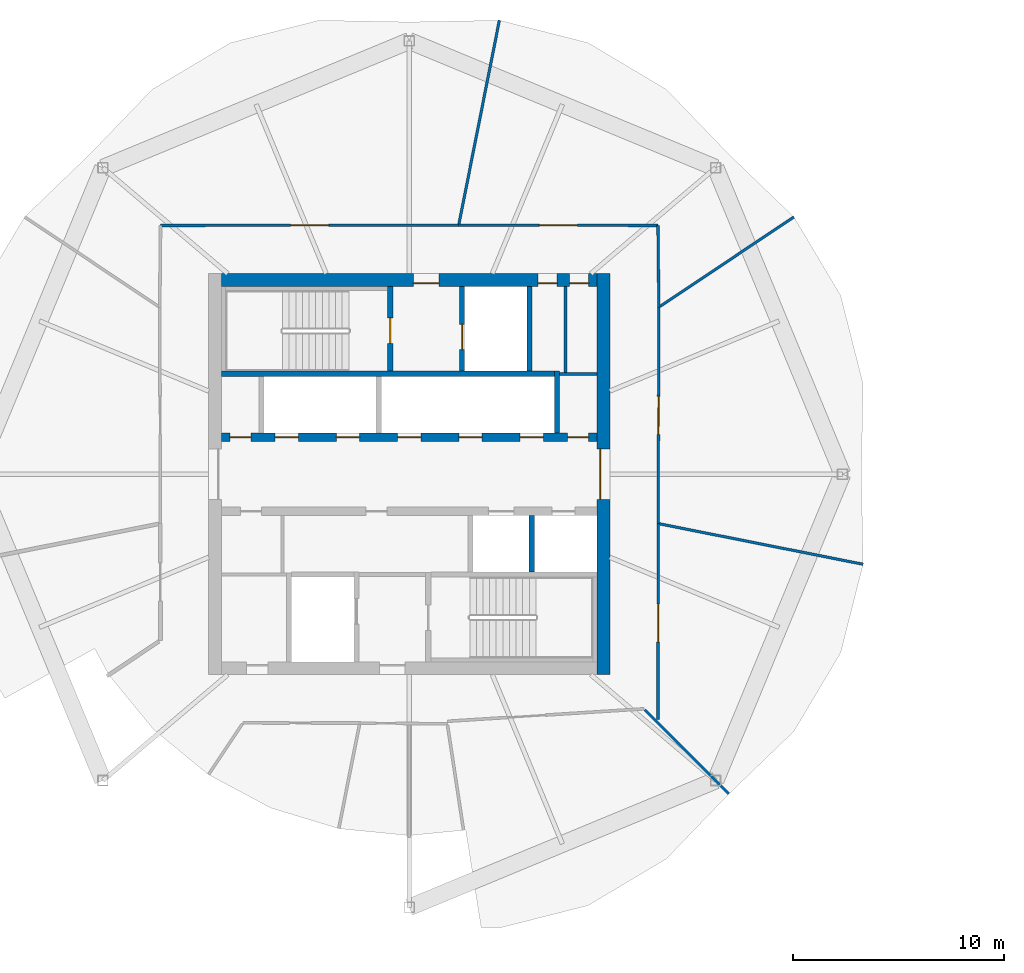
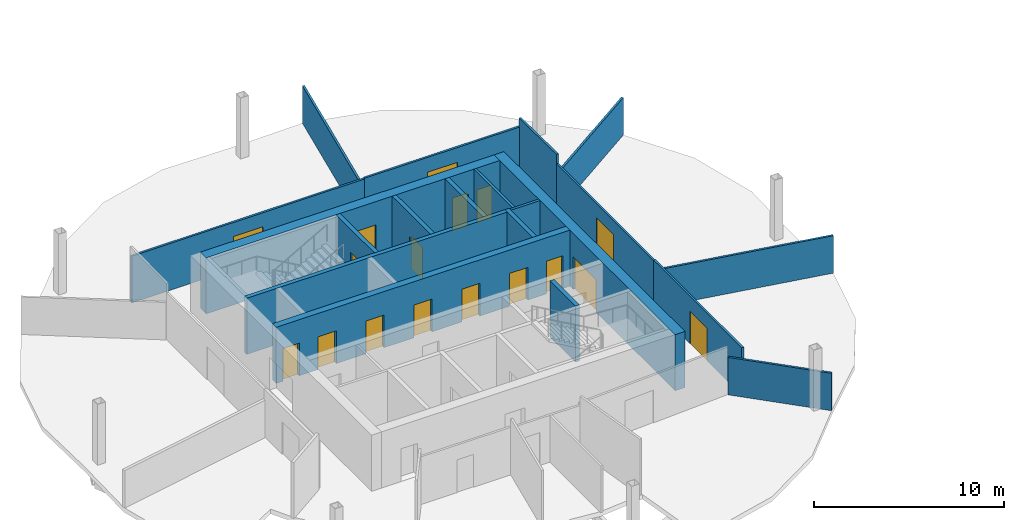
# One storey, part 5 of 9: 20 walls, 17 doors, 17 openings.
"""IFC4 building model written with IfcOpenShell, lengths in metres."""

from ifc_helpers import new_model, si_unit, direction, frame, frame_2d, origin, place, context, subcontext, project, spatial, rectangle, extrude, material, layer, layer_set, type_object, element, fill, save


model = new_model("IFC4")

# Units and contexts
model_context = context("Model", 3, precision=1e-05, world=origin(), true_north=direction((0.0, 1.0)))
body_context = subcontext(model_context, "Body", "Model", "MODEL_VIEW")
ifc_project = project(units=[si_unit("LENGTHUNIT", "METRE"), si_unit("AREAUNIT", "SQUARE_METRE"), si_unit("VOLUMEUNIT", "CUBIC_METRE"), si_unit("PLANEANGLEUNIT", "RADIAN"), si_unit("MASSUNIT", "GRAM", prefix="KILO")], contexts=[model_context])

# Site, building, storey
site_placement = place(None, origin())
site = spatial("IfcSite", under=ifc_project, at=site_placement, CompositionType="ELEMENT")
building_placement = place(site_placement, origin())
building = spatial("IfcBuilding", under=site, at=building_placement, Name="Ogive Gate Towers", CompositionType="ELEMENT")
storey_placement = place(building_placement, frame((0.0, 0.0, 192.89990234375)))
storey = spatial("IfcBuildingStorey", under=building, at=storey_placement, Name="L46", CompositionType="ELEMENT", Elevation=192.89990234375)

# Wall, openings, doors
ifc_material_1 = material(Name="Concrete C60/75", Category="concrete")
ifc_layer_1 = layer(ifc_material_1, 0.60009765625)
ifc_layer_set_1 = layer_set([ifc_layer_1], Name="Core wall 600 mm")
wall_type_1 = type_object("IfcWallType", Name="Core wall 600 mm", PredefinedType="SHEAR", material=ifc_layer_set_1)
wall_1_placement = place(storey_placement, frame((-44.89990234375, 9.199951171875, 0.0), z_axis=(0.0, 0.0, 1.0), x_axis=(1.0, 0.0, 0.0)))
wall_1 = element("IfcWall", 1, at=wall_1_placement, inside=storey, type_object=wall_type_1, Name="T1 L46 Core wall 600 mm", PredefinedType="SHEAR", context=body_context, shape_type="SweptSolid", body=[
    extrude(rectangle(XDim=17.7998046875, YDim=0.60009765625, at=frame_2d((8.89990234375, 0.0))), origin(), (0.0, 0.0, 1.0), 3.60009765625),
])
opening_1_placement = place(wall_1_placement, frame((9.10009765625, 0.0, 0.0)))
opening_1 = element("IfcOpeningElement", 2, at=opening_1_placement, cuts=wall_1, Name="Opening KD-T1-L46-18", PredefinedType="OPENING", context=body_context, shape_type="SweptSolid", body=[
    extrude(rectangle(XDim=1.199951171875, YDim=2.10009765625, at=frame_2d((0.60009765625, 1.050048828125))), frame((0.0, 0.31005859375, 0.0), z_axis=(0.0, -1.0, 0.0), x_axis=(1.0, 0.0, 0.0)), (0.0, 0.0, 1.0), 0.6201171875),
])
opening_2_placement = place(wall_1_placement, frame((15.0, 0.0, 0.0)))
opening_2 = element("IfcOpeningElement", 3, at=opening_2_placement, cuts=wall_1, Name="Opening KD-T1-L46-20", PredefinedType="OPENING", context=body_context, shape_type="SweptSolid", body=[
    extrude(rectangle(XDim=0.89990234375, YDim=2.10009765625, at=frame_2d((0.449951171875, 1.050048828125))), frame((0.0, 0.31005859375, 0.0), z_axis=(0.0, -1.0, 0.0), x_axis=(1.0, 0.0, 0.0)), (0.0, 0.0, 1.0), 0.6201171875),
])
opening_3_placement = place(wall_1_placement, frame((16.5, 0.0, 0.0)))
opening_3 = element("IfcOpeningElement", 4, at=opening_3_placement, cuts=wall_1, Name="Opening KD-T1-L46-21", PredefinedType="OPENING", context=body_context, shape_type="SweptSolid", body=[
    extrude(rectangle(XDim=0.89990234375, YDim=2.10009765625, at=frame_2d((0.449951171875, 1.050048828125))), frame((0.0, 0.31005859375, 0.0), z_axis=(0.0, -1.0, 0.0), x_axis=(1.0, 0.0, 0.0)), (0.0, 0.0, 1.0), 0.6201171875),
])
ifc_material_2 = material(Name="Timber door", Category="wood")
door_type_1 = type_object("IfcDoorType", Name="Core WC door 900 x 2100", OperationType="NOTDEFINED", PredefinedType="DOOR", material=ifc_material_2)
door_1_placement = place(opening_2_placement, origin())
door_1 = element("IfcDoor", 5, at=door_1_placement, inside=storey, type_object=door_type_1, Name="T1 L46 Core door", OperationType="SINGLE_SWING_LEFT", OverallHeight=2.10009765625, OverallWidth=0.89990234375, PredefinedType="DOOR", context=body_context, shape_type="SweptSolid", body=[
    extrude(rectangle(XDim=0.89990234375, YDim=2.10009765625, at=frame_2d((0.449951171875, 1.050048828125))), frame((0.0, -0.125, 0.0), z_axis=(0.0, -1.0, 0.0), x_axis=(1.0, 0.0, 0.0)), (0.0, 0.0, 1.0), 0.050048828125),
])
fill(opening_2, door_1)
door_2_placement = place(opening_3_placement, origin())
door_2 = element("IfcDoor", 6, at=door_2_placement, inside=storey, type_object=door_type_1, Name="T1 L46 Core door", OperationType="SINGLE_SWING_RIGHT", OverallHeight=2.10009765625, OverallWidth=0.89990234375, PredefinedType="DOOR", context=body_context, shape_type="SweptSolid", body=[
    extrude(rectangle(XDim=0.89990234375, YDim=2.10009765625, at=frame_2d((0.449951171875, 1.050048828125))), frame((0.0, -0.125, 0.0), z_axis=(0.0, -1.0, 0.0), x_axis=(1.0, 0.0, 0.0)), (0.0, 0.0, 1.0), 0.050048828125),
])
fill(opening_3, door_2)
ifc_material_3 = material(Name="Steel fire door", Category="steel")
door_type_2 = type_object("IfcDoorType", Name="Core door FD60S 1200 x 2100", OperationType="NOTDEFINED", PredefinedType="DOOR", material=ifc_material_3)
door_3_placement = place(opening_1_placement, origin())
door_3 = element("IfcDoor", 7, at=door_3_placement, inside=storey, type_object=door_type_2, Name="T1 L46 Fire-fighting lobby door", OperationType="SINGLE_SWING_LEFT", OverallHeight=2.10009765625, OverallWidth=1.199951171875, PredefinedType="DOOR", context=body_context, shape_type="SweptSolid", body=[
    extrude(rectangle(XDim=1.199951171875, YDim=2.10009765625, at=frame_2d((0.60009765625, 1.050048828125))), frame((0.0, -0.125, 0.0), z_axis=(0.0, -1.0, 0.0), x_axis=(1.0, 0.0, 0.0)), (0.0, 0.0, 1.0), 0.050048828125),
])
fill(opening_1, door_3)

# Wall, opening, door
wall_2_placement = place(storey_placement, frame((-26.800048828125, -9.5, 0.0), z_axis=(0.0, 0.0, 1.0), x_axis=(0.0, 1.0, 0.0)))
wall_2 = element("IfcWall", 8, at=wall_2_placement, inside=storey, type_object=wall_type_1, Name="T1 L46 Core wall 600 mm", PredefinedType="SHEAR", context=body_context, shape_type="SweptSolid", body=[
    extrude(rectangle(XDim=19.0, YDim=0.60009765625, at=frame_2d((9.5, 0.0))), origin(), (0.0, 0.0, 1.0), 3.60009765625),
])
opening_4_placement = place(wall_2_placement, frame((8.300048828125, 0.0, 0.0)))
opening_4 = element("IfcOpeningElement", 9, at=opening_4_placement, cuts=wall_2, Name="Opening KD-T1-L46-02", PredefinedType="OPENING", context=body_context, shape_type="SweptSolid", body=[
    extrude(rectangle(XDim=2.39990234375, YDim=2.10009765625, at=frame_2d((1.199951171875, 1.050048828125))), frame((0.0, 0.31005859375, 0.0), z_axis=(0.0, -1.0, 0.0), x_axis=(1.0, 0.0, 0.0)), (0.0, 0.0, 1.0), 0.6201171875),
])
door_type_3 = type_object("IfcDoorType", Name="Core double door FD60S 2400 x 2100", OperationType="DOUBLE_DOOR_SINGLE_SWING", PredefinedType="DOOR", material=ifc_material_3)
door_4_placement = place(opening_4_placement, origin())
door_4 = element("IfcDoor", 10, at=door_4_placement, inside=storey, type_object=door_type_3, Name="T1 L46 Core door double", OperationType="DOUBLE_DOOR_SINGLE_SWING", OverallHeight=2.10009765625, OverallWidth=2.39990234375, PredefinedType="DOOR", context=body_context, shape_type="SweptSolid", body=[
    extrude(rectangle(XDim=2.39990234375, YDim=2.10009765625, at=frame_2d((1.199951171875, 1.050048828125))), frame((0.0, 0.1748046875, 0.0), z_axis=(0.0, -1.0, 0.0), x_axis=(1.0, 0.0, 0.0)), (0.0, 0.0, 1.0), 0.050048828125),
])
fill(opening_4, door_4)

# Walls
ifc_material_4 = material(Name="Gypsum board partition")
ifc_layer_2 = layer(ifc_material_4, 0.125)
ifc_layer_set_2 = layer_set([ifc_layer_2], Name="Partition 125")
wall_type_2 = type_object("IfcWallType", Name="Partition 125", PredefinedType="PARTITIONING", material=ifc_layer_set_2)
wall_3_placement = place(storey_placement, frame((-17.779052734375, 12.184814453125, 0.0), z_axis=(0.0, 0.0, 1.0), x_axis=(-0.831252644517, -0.555894811079, 0.0)))
element("IfcWall", 11, at=wall_3_placement, inside=storey, type_object=wall_type_2, Name="Partition T1-L46-001", PredefinedType="PARTITIONING", context=body_context, shape_type="SweptSolid", body=[
    extrude(rectangle(XDim=7.636474609375, YDim=0.125, at=frame_2d((3.818359375, 0.0))), origin(), (0.0, 0.0, 1.0), 2.400146484375),
])
wall_4_placement = place(storey_placement, frame((-31.731689453125, 21.5, 0.0), z_axis=(0.0, 0.0, 1.0), x_axis=(-0.194736530289, -0.980855587623, 0.0)))
element("IfcWall", 12, at=wall_4_placement, inside=storey, type_object=wall_type_2, Name="Partition T1-L46-002", PredefinedType="PARTITIONING", context=body_context, shape_type="SweptSolid", body=[
    extrude(rectangle(XDim=9.83642578125, YDim=0.125, at=frame_2d((4.918212890625, 0.0))), origin(), (0.0, 0.0, 1.0), 2.400146484375),
])
wall_5_placement = place(storey_placement, frame((-20.8544921875, -15.1455078125, 0.0), z_axis=(0.0, 0.0, 1.0), x_axis=(-0.707106781187, 0.707106781187, 0.0)))
element("IfcWall", 13, at=wall_5_placement, inside=storey, type_object=wall_type_2, Name="Partition T1-L46-010", PredefinedType="PARTITIONING", context=body_context, shape_type="SweptSolid", body=[
    extrude(rectangle(XDim=5.636474609375, YDim=0.125, at=frame_2d((2.818359375, 0.0))), origin(), (0.0, 0.0, 1.0), 2.400146484375),
])
wall_6_placement = place(storey_placement, frame((-14.5, -4.268310546875, 0.0), z_axis=(0.0, 0.0, 1.0), x_axis=(-0.980855587623, 0.194736530289, 0.0)))
element("IfcWall", 14, at=wall_6_placement, inside=storey, type_object=wall_type_2, Name="Partition T1-L46-011", PredefinedType="PARTITIONING", context=body_context, shape_type="SweptSolid", body=[
    extrude(rectangle(XDim=9.83642578125, YDim=0.125, at=frame_2d((4.918212890625, 0.0))), origin(), (0.0, 0.0, 1.0), 2.400146484375),
])

# Wall, opening, door
wall_7_placement = place(storey_placement, frame((-47.780029296875, 11.780029296875, 0.0), z_axis=(0.0, 0.0, 1.0), x_axis=(0.999999736351, 0.000726153442, 0.0)))
wall_7 = element("IfcWall", 15, at=wall_7_placement, inside=storey, type_object=wall_type_2, Name="Partition T1-L46-016", PredefinedType="PARTITIONING", context=body_context, shape_type="SweptSolid", body=[
    extrude(rectangle(XDim=14.120849609375, YDim=0.125, at=frame_2d((7.060546875, 0.0))), origin(), (0.0, 0.0, 1.0), 3.0),
])
opening_5_placement = place(wall_7_placement, frame((6.159912109375, 0.0, 0.0)))
opening_5 = element("IfcOpeningElement", 16, at=opening_5_placement, cuts=wall_7, Name="Opening T1-L46-D05", PredefinedType="OPENING", context=body_context, shape_type="SweptSolid", body=[
    extrude(rectangle(XDim=1.800048828125, YDim=2.10009765625, at=frame_2d((0.89990234375, 1.050048828125))), frame((0.0, 0.072509765625, 0.0), z_axis=(0.0, -1.0, 0.0), x_axis=(1.0, 0.0, 0.0)), (0.0, 0.0, 1.0), 0.14501953125),
])
door_type_4 = type_object("IfcDoorType", Name="Door pair 1800", OperationType="NOTDEFINED", PredefinedType="DOOR", material=ifc_material_2)
door_5_placement = place(opening_5_placement, origin())
door_5 = element("IfcDoor", 17, at=door_5_placement, inside=storey, type_object=door_type_4, Name="Door T1-L46-D05", OperationType="DOUBLE_DOOR_DOUBLE_SWING", OverallHeight=2.10009765625, OverallWidth=1.800048828125, PredefinedType="DOOR", context=body_context, shape_type="SweptSolid", body=[
    extrude(rectangle(XDim=1.800048828125, YDim=2.10009765625, at=frame_2d((0.89990234375, 1.050048828125))), frame((0.0, 0.02490234375, 0.0), z_axis=(0.0, -1.0, 0.0), x_axis=(1.0, 0.0, 0.0)), (0.0, 0.0, 1.0), 0.050048828125),
])
fill(opening_5, door_5)

wall_8_placement = place(storey_placement, frame((-33.6591796875, 11.790283203125, 0.0), z_axis=(0.0, 0.0, 1.0), x_axis=(0.999999409966, -0.001086309268, 0.0)))
wall_8 = element("IfcWall", 18, at=wall_8_placement, inside=storey, type_object=wall_type_2, Name="Partition T1-L46-018", PredefinedType="PARTITIONING", context=body_context, shape_type="SweptSolid", body=[
    extrude(rectangle(XDim=9.439208984375, YDim=0.125, at=frame_2d((4.7197265625, 0.0))), origin(), (0.0, 0.0, 1.0), 3.050048828125),
])
opening_6_placement = place(wall_8_placement, frame((3.820068359375, 0.0, 0.0)))
opening_6 = element("IfcOpeningElement", 19, at=opening_6_placement, cuts=wall_8, Name="Opening T1-L46-D06", PredefinedType="OPENING", context=body_context, shape_type="SweptSolid", body=[
    extrude(rectangle(XDim=1.800048828125, YDim=2.10009765625, at=frame_2d((0.89990234375, 1.050048828125))), frame((0.0, 0.072509765625, 0.0), z_axis=(0.0, -1.0, 0.0), x_axis=(1.0, 0.0, 0.0)), (0.0, 0.0, 1.0), 0.14501953125),
])
door_6_placement = place(opening_6_placement, origin())
door_6 = element("IfcDoor", 20, at=door_6_placement, inside=storey, type_object=door_type_4, Name="Door T1-L46-D06", OperationType="DOUBLE_DOOR_DOUBLE_SWING", OverallHeight=2.10009765625, OverallWidth=1.800048828125, PredefinedType="DOOR", context=body_context, shape_type="SweptSolid", body=[
    extrude(rectangle(XDim=1.800048828125, YDim=2.10009765625, at=frame_2d((0.89990234375, 1.050048828125))), frame((0.0, 0.02490234375, 0.0), z_axis=(0.0, -1.0, 0.0), x_axis=(1.0, 0.0, 0.0)), (0.0, 0.0, 1.0), 0.050048828125),
])
fill(opening_6, door_6)

# Wall
wall_9_placement = place(storey_placement, frame((-24.219970703125, 11.780029296875, 0.0), z_axis=(0.0, 0.0, 1.0), x_axis=(0.010583417817, -0.999943994065, 0.0)))
element("IfcWall", 21, at=wall_9_placement, inside=storey, type_object=wall_type_2, Name="Partition T1-L46-019", PredefinedType="PARTITIONING", context=body_context, shape_type="SweptSolid", body=[
    extrude(rectangle(XDim=3.87548828125, YDim=0.125, at=frame_2d((1.937744140625, 0.0))), origin(), (0.0, 0.0, 1.0), 3.60009765625),
])

# Wall, opening, door
wall_10_placement = place(storey_placement, frame((-24.178955078125, 7.90478515625, 0.0), z_axis=(0.0, 0.0, 1.0), x_axis=(-0.003002417006, -0.999995492736, 0.0)))
wall_10 = element("IfcWall", 22, at=wall_10_placement, inside=storey, type_object=wall_type_2, Name="Partition T1-L46-020", PredefinedType="PARTITIONING", context=body_context, shape_type="SweptSolid", body=[
    extrude(rectangle(XDim=10.24560546875, YDim=0.125, at=frame_2d((5.122802734375, 0.0))), origin(), (0.0, 0.0, 1.0), 3.0),
])
opening_7_placement = place(wall_10_placement, frame((4.222900390625, 0.0, 0.0)))
opening_7 = element("IfcOpeningElement", 23, at=opening_7_placement, cuts=wall_10, Name="Opening T1-L46-D07", PredefinedType="OPENING", context=body_context, shape_type="SweptSolid", body=[
    extrude(rectangle(XDim=1.800048828125, YDim=2.10009765625, at=frame_2d((0.89990234375, 1.050048828125))), frame((0.0, 0.072509765625, 0.0), z_axis=(0.0, -1.0, 0.0), x_axis=(1.0, 0.0, 0.0)), (0.0, 0.0, 1.0), 0.14501953125),
])
door_7_placement = place(opening_7_placement, origin())
door_7 = element("IfcDoor", 24, at=door_7_placement, inside=storey, type_object=door_type_4, Name="Door T1-L46-D07", OperationType="DOUBLE_DOOR_DOUBLE_SWING", OverallHeight=2.10009765625, OverallWidth=1.800048828125, PredefinedType="DOOR", context=body_context, shape_type="SweptSolid", body=[
    extrude(rectangle(XDim=1.800048828125, YDim=2.10009765625, at=frame_2d((0.89990234375, 1.050048828125))), frame((0.0, 0.02490234375, 0.0), z_axis=(0.0, -1.0, 0.0), x_axis=(1.0, 0.0, 0.0)), (0.0, 0.0, 1.0), 0.050048828125),
])
fill(opening_7, door_7)

wall_11_placement = place(storey_placement, frame((-24.209716796875, -2.3408203125, 0.0), z_axis=(0.0, 0.0, 1.0), x_axis=(-0.001078804793, -0.99999941809, 0.0)))
wall_11 = element("IfcWall", 25, at=wall_11_placement, inside=storey, type_object=wall_type_2, Name="Partition T1-L46-021", PredefinedType="PARTITIONING", context=body_context, shape_type="SweptSolid", body=[
    extrude(rectangle(XDim=9.278564453125, YDim=0.125, at=frame_2d((4.63916015625, 0.0))), origin(), (0.0, 0.0, 1.0), 3.050048828125),
])
opening_8_placement = place(wall_11_placement, frame((3.820068359375, 0.0, 0.0)))
opening_8 = element("IfcOpeningElement", 26, at=opening_8_placement, cuts=wall_11, Name="Opening T1-L46-D08", PredefinedType="OPENING", context=body_context, shape_type="SweptSolid", body=[
    extrude(rectangle(XDim=1.800048828125, YDim=2.10009765625, at=frame_2d((0.89990234375, 1.050048828125))), frame((0.0, 0.072509765625, 0.0), z_axis=(0.0, -1.0, 0.0), x_axis=(1.0, 0.0, 0.0)), (0.0, 0.0, 1.0), 0.14501953125),
])
door_8_placement = place(opening_8_placement, origin())
door_8 = element("IfcDoor", 27, at=door_8_placement, inside=storey, type_object=door_type_4, Name="Door T1-L46-D08", OperationType="DOUBLE_DOOR_DOUBLE_SWING", OverallHeight=2.10009765625, OverallWidth=1.800048828125, PredefinedType="DOOR", context=body_context, shape_type="SweptSolid", body=[
    extrude(rectangle(XDim=1.800048828125, YDim=2.10009765625, at=frame_2d((0.89990234375, 1.050048828125))), frame((0.0, 0.02490234375, 0.0), z_axis=(0.0, -1.0, 0.0), x_axis=(1.0, 0.0, 0.0)), (0.0, 0.0, 1.0), 0.050048828125),
])
fill(opening_8, door_8)

# Walls
ifc_layer_3 = layer(ifc_material_4, 0.14990234375)
ifc_layer_set_3 = layer_set([ifc_layer_3], Name="Room partition 150 mm")
wall_type_3 = type_object("IfcWallType", Name="Room partition 150 mm", PredefinedType="PARTITIONING", material=ifc_layer_set_3)
wall_12_placement = place(storey_placement, frame((-28.875, 4.75, 0.0), z_axis=(0.0, 0.0, 1.0), x_axis=(1.0, 0.0, 0.0)))
element("IfcWall", 28, at=wall_12_placement, inside=storey, type_object=wall_type_3, Name="T1 L46 Room partition 150 mm", PredefinedType="PARTITIONING", context=body_context, shape_type="SweptSolid", body=[
    extrude(rectangle(XDim=1.77490234375, YDim=0.14990234375, at=frame_2d((0.887451171875, 0.0))), origin(), (0.0, 0.0, 1.0), 3.60009765625),
])
wall_13_placement = place(storey_placement, frame((-28.60009765625, 4.824951171875, 0.0), z_axis=(0.0, 0.0, 1.0), x_axis=(0.0, 1.0, 0.0)))
element("IfcWall", 29, at=wall_13_placement, inside=storey, type_object=wall_type_3, Name="T1 L46 Room partition 150 mm", PredefinedType="PARTITIONING", context=body_context, shape_type="SweptSolid", body=[
    extrude(rectangle(XDim=4.074951171875, YDim=0.14990234375, at=frame_2d((2.03759765625, 0.0))), origin(), (0.0, 0.0, 1.0), 3.60009765625),
])
ifc_layer_4 = layer(ifc_material_1, 0.25)
ifc_layer_set_4 = layer_set([ifc_layer_4], Name="Shaft wall 250 mm")
wall_type_4 = type_object("IfcWallType", Name="Shaft wall 250 mm", PredefinedType="SHEAR", material=ifc_layer_set_4)
wall_14_placement = place(storey_placement, frame((-44.89990234375, 4.75, 0.0), z_axis=(0.0, 0.0, 1.0), x_axis=(1.0, 0.0, 0.0)))
element("IfcWall", 30, at=wall_14_placement, inside=storey, type_object=wall_type_4, Name="T1 L46 Shaft wall 250 mm", PredefinedType="SHEAR", context=body_context, shape_type="SweptSolid", body=[
    extrude(rectangle(XDim=15.77490234375, YDim=0.25, at=frame_2d((7.887451171875, 0.0))), origin(), (0.0, 0.0, 1.0), 3.60009765625),
])

# Wall, opening, door
wall_15_placement = place(storey_placement, frame((-36.89990234375, 4.875, 0.0), z_axis=(0.0, 0.0, 1.0), x_axis=(0.0, 1.0, 0.0)))
wall_15 = element("IfcWall", 31, at=wall_15_placement, inside=storey, type_object=wall_type_4, Name="T1 L46 Shaft wall 250 mm", PredefinedType="SHEAR", context=body_context, shape_type="SweptSolid", body=[
    extrude(rectangle(XDim=4.02490234375, YDim=0.25, at=frame_2d((2.012451171875, 0.0))), origin(), (0.0, 0.0, 1.0), 3.60009765625),
])
opening_9_placement = place(wall_15_placement, frame((1.324951171875, 0.0, 0.0)))
opening_9 = element("IfcOpeningElement", 32, at=opening_9_placement, cuts=wall_15, Name="Opening KD-T1-L46-16", PredefinedType="OPENING", context=body_context, shape_type="SweptSolid", body=[
    extrude(rectangle(XDim=1.199951171875, YDim=2.10009765625, at=frame_2d((0.60009765625, 1.050048828125))), frame((0.0, 0.135009765625, 0.0), z_axis=(0.0, -1.0, 0.0), x_axis=(1.0, 0.0, 0.0)), (0.0, 0.0, 1.0), 0.27001953125),
])
door_9_placement = place(opening_9_placement, origin())
door_9 = element("IfcDoor", 33, at=door_9_placement, inside=storey, type_object=door_type_2, Name="T1 L46 Stair door", OperationType="SINGLE_SWING_LEFT", OverallHeight=2.10009765625, OverallWidth=1.199951171875, PredefinedType="DOOR", context=body_context, shape_type="SweptSolid", body=[
    extrude(rectangle(XDim=1.199951171875, YDim=2.10009765625, at=frame_2d((0.60009765625, 1.050048828125))), frame((0.0, 0.02490234375, 0.0), z_axis=(0.0, -1.0, 0.0), x_axis=(1.0, 0.0, 0.0)), (0.0, 0.0, 1.0), 0.050048828125),
])
fill(opening_9, door_9)

wall_16_placement = place(storey_placement, frame((-33.5, 4.875, 0.0), z_axis=(0.0, 0.0, 1.0), x_axis=(0.0, 1.0, 0.0)))
wall_16 = element("IfcWall", 34, at=wall_16_placement, inside=storey, type_object=wall_type_4, Name="T1 L46 Shaft wall 250 mm", PredefinedType="SHEAR", context=body_context, shape_type="SweptSolid", body=[
    extrude(rectangle(XDim=4.02490234375, YDim=0.25, at=frame_2d((2.012451171875, 0.0))), origin(), (0.0, 0.0, 1.0), 3.60009765625),
])
opening_10_placement = place(wall_16_placement, frame((1.02490234375, 0.0, 0.0)))
opening_10 = element("IfcOpeningElement", 35, at=opening_10_placement, cuts=wall_16, Name="Opening LD-T1-L46-12", PredefinedType="OPENING", context=body_context, shape_type="SweptSolid", body=[
    extrude(rectangle(XDim=1.199951171875, YDim=2.10009765625, at=frame_2d((0.60009765625, 1.050048828125))), frame((0.0, 0.135009765625, 0.0), z_axis=(0.0, -1.0, 0.0), x_axis=(1.0, 0.0, 0.0)), (0.0, 0.0, 1.0), 0.27001953125),
])
ifc_material_5 = material(Name="Stainless steel landing door", Category="steel")
door_type_5 = type_object("IfcDoorType", Name="Landing door 1200 x 2100", OperationType="SLIDING_TO_LEFT", PredefinedType="DOOR", material=ifc_material_5)
door_10_placement = place(opening_10_placement, origin())
door_10 = element("IfcDoor", 36, at=door_10_placement, inside=storey, type_object=door_type_5, Name="T1 L46 Lift landing door FF1", OperationType="SLIDING_TO_LEFT", OverallHeight=2.10009765625, OverallWidth=1.199951171875, PredefinedType="DOOR", context=body_context, shape_type="SweptSolid", body=[
    extrude(rectangle(XDim=1.199951171875, YDim=2.10009765625, at=frame_2d((0.60009765625, 1.050048828125))), frame((0.0, 0.02490234375, 0.0), z_axis=(0.0, -1.0, 0.0), x_axis=(1.0, 0.0, 0.0)), (0.0, 0.0, 1.0), 0.050048828125),
])
fill(opening_10, door_10)

# Walls
wall_17_placement = place(storey_placement, frame((-30.300048828125, 4.875, 0.0), z_axis=(0.0, 0.0, 1.0), x_axis=(0.0, 1.0, 0.0)))
element("IfcWall", 37, at=wall_17_placement, inside=storey, type_object=wall_type_4, Name="T1 L46 Shaft wall 250 mm", PredefinedType="SHEAR", context=body_context, shape_type="SweptSolid", body=[
    extrude(rectangle(XDim=4.02490234375, YDim=0.25, at=frame_2d((2.012451171875, 0.0))), origin(), (0.0, 0.0, 1.0), 3.60009765625),
])
wall_18_placement = place(storey_placement, frame((-30.199951171875, -4.625, 0.0), z_axis=(0.0, 0.0, 1.0), x_axis=(0.0, 1.0, 0.0)))
element("IfcWall", 38, at=wall_18_placement, inside=storey, type_object=wall_type_4, Name="T1 L46 Shaft wall 250 mm", PredefinedType="SHEAR", context=body_context, shape_type="SweptSolid", body=[
    extrude(rectangle(XDim=2.675048828125, YDim=0.25, at=frame_2d((1.33740234375, 0.0))), origin(), (0.0, 0.0, 1.0), 3.60009765625),
])
wall_19_placement = place(storey_placement, frame((-29.0, 1.949951171875, 0.0), z_axis=(0.0, 0.0, 1.0), x_axis=(0.0, 1.0, 0.0)))
element("IfcWall", 39, at=wall_19_placement, inside=storey, type_object=wall_type_4, Name="T1 L46 Shaft wall 250 mm", PredefinedType="SHEAR", context=body_context, shape_type="SweptSolid", body=[
    extrude(rectangle(XDim=2.925048828125, YDim=0.25, at=frame_2d((1.46240234375, 0.0))), origin(), (0.0, 0.0, 1.0), 3.60009765625),
])

# Wall, openings, doors
ifc_layer_5 = layer(ifc_material_1, 0.39990234375)
ifc_layer_set_5 = layer_set([ifc_layer_5], Name="Spine wall 400 mm")
wall_type_5 = type_object("IfcWallType", Name="Spine wall 400 mm", PredefinedType="SHEAR", material=ifc_layer_set_5)
wall_20_placement = place(storey_placement, frame((-44.89990234375, 1.75, 0.0), z_axis=(0.0, 0.0, 1.0), x_axis=(1.0, 0.0, 0.0)))
wall_20 = element("IfcWall", 40, at=wall_20_placement, inside=storey, type_object=wall_type_5, Name="T1 L46 Spine wall 400 mm", PredefinedType="SHEAR", context=body_context, shape_type="SweptSolid", body=[
    extrude(rectangle(XDim=17.7998046875, YDim=0.39990234375, at=frame_2d((8.89990234375, 0.0))), origin(), (0.0, 0.0, 1.0), 3.60009765625),
])
opening_11_placement = place(wall_20_placement, frame((0.39990234375, 0.0, 0.0)))
opening_11 = element("IfcOpeningElement", 41, at=opening_11_placement, cuts=wall_20, Name="Opening KD-T1-L46-03", PredefinedType="OPENING", context=body_context, shape_type="SweptSolid", body=[
    extrude(rectangle(XDim=1.0, YDim=2.10009765625, at=frame_2d((0.5, 1.050048828125))), frame((0.0, 0.2099609375, 0.0), z_axis=(0.0, -1.0, 0.0), x_axis=(1.0, 0.0, 0.0)), (0.0, 0.0, 1.0), 0.419921875),
])
opening_12_placement = place(wall_20_placement, frame((2.550048828125, 0.0, 0.0)))
opening_12 = element("IfcOpeningElement", 42, at=opening_12_placement, cuts=wall_20, Name="Opening LD-T1-L46-04", PredefinedType="OPENING", context=body_context, shape_type="SweptSolid", body=[
    extrude(rectangle(XDim=1.10009765625, YDim=2.10009765625, at=frame_2d((0.550048828125, 1.050048828125))), frame((0.0, 0.2099609375, 0.0), z_axis=(0.0, -1.0, 0.0), x_axis=(1.0, 0.0, 0.0)), (0.0, 0.0, 1.0), 0.419921875),
])
opening_13_placement = place(wall_20_placement, frame((5.449951171875, 0.0, 0.0)))
opening_13 = element("IfcOpeningElement", 43, at=opening_13_placement, cuts=wall_20, Name="Opening LD-T1-L46-05", PredefinedType="OPENING", context=body_context, shape_type="SweptSolid", body=[
    extrude(rectangle(XDim=1.10009765625, YDim=2.10009765625, at=frame_2d((0.550048828125, 1.050048828125))), frame((0.0, 0.2099609375, 0.0), z_axis=(0.0, -1.0, 0.0), x_axis=(1.0, 0.0, 0.0)), (0.0, 0.0, 1.0), 0.419921875),
])
opening_14_placement = place(wall_20_placement, frame((8.35009765625, 0.0, 0.0)))
opening_14 = element("IfcOpeningElement", 44, at=opening_14_placement, cuts=wall_20, Name="Opening LD-T1-L46-06", PredefinedType="OPENING", context=body_context, shape_type="SweptSolid", body=[
    extrude(rectangle(XDim=1.10009765625, YDim=2.10009765625, at=frame_2d((0.550048828125, 1.050048828125))), frame((0.0, 0.2099609375, 0.0), z_axis=(0.0, -1.0, 0.0), x_axis=(1.0, 0.0, 0.0)), (0.0, 0.0, 1.0), 0.419921875),
])
opening_15_placement = place(wall_20_placement, frame((11.25, 0.0, 0.0)))
opening_15 = element("IfcOpeningElement", 45, at=opening_15_placement, cuts=wall_20, Name="Opening LD-T1-L46-07", PredefinedType="OPENING", context=body_context, shape_type="SweptSolid", body=[
    extrude(rectangle(XDim=1.10009765625, YDim=2.10009765625, at=frame_2d((0.550048828125, 1.050048828125))), frame((0.0, 0.2099609375, 0.0), z_axis=(0.0, -1.0, 0.0), x_axis=(1.0, 0.0, 0.0)), (0.0, 0.0, 1.0), 0.419921875),
])
opening_16_placement = place(wall_20_placement, frame((14.14990234375, 0.0, 0.0)))
opening_16 = element("IfcOpeningElement", 46, at=opening_16_placement, cuts=wall_20, Name="Opening LD-T1-L46-08", PredefinedType="OPENING", context=body_context, shape_type="SweptSolid", body=[
    extrude(rectangle(XDim=1.10009765625, YDim=2.10009765625, at=frame_2d((0.550048828125, 1.050048828125))), frame((0.0, 0.2099609375, 0.0), z_axis=(0.0, -1.0, 0.0), x_axis=(1.0, 0.0, 0.0)), (0.0, 0.0, 1.0), 0.419921875),
])
opening_17_placement = place(wall_20_placement, frame((16.39990234375, 0.0, 0.0)))
opening_17 = element("IfcOpeningElement", 47, at=opening_17_placement, cuts=wall_20, Name="Opening KD-T1-L46-09", PredefinedType="OPENING", context=body_context, shape_type="SweptSolid", body=[
    extrude(rectangle(XDim=1.0, YDim=2.10009765625, at=frame_2d((0.5, 1.050048828125))), frame((0.0, 0.2099609375, 0.0), z_axis=(0.0, -1.0, 0.0), x_axis=(1.0, 0.0, 0.0)), (0.0, 0.0, 1.0), 0.419921875),
])
door_type_6 = type_object("IfcDoorType", Name="Core door FD60S 1000 x 2100", OperationType="NOTDEFINED", PredefinedType="DOOR", material=ifc_material_3)
door_11_placement = place(opening_11_placement, origin())
door_11 = element("IfcDoor", 48, at=door_11_placement, inside=storey, type_object=door_type_6, Name="T1 L46 Core door", OperationType="SINGLE_SWING_RIGHT", OverallHeight=2.10009765625, OverallWidth=1.0, PredefinedType="DOOR", context=body_context, shape_type="SweptSolid", body=[
    extrude(rectangle(XDim=1.0, YDim=2.10009765625, at=frame_2d((0.5, 1.050048828125))), frame((0.0, 0.02490234375, 0.0), z_axis=(0.0, -1.0, 0.0), x_axis=(1.0, 0.0, 0.0)), (0.0, 0.0, 1.0), 0.050048828125),
])
fill(opening_11, door_11)
door_12_placement = place(opening_17_placement, origin())
door_12 = element("IfcDoor", 49, at=door_12_placement, inside=storey, type_object=door_type_6, Name="T1 L46 Core door", OperationType="SINGLE_SWING_RIGHT", OverallHeight=2.10009765625, OverallWidth=1.0, PredefinedType="DOOR", context=body_context, shape_type="SweptSolid", body=[
    extrude(rectangle(XDim=1.0, YDim=2.10009765625, at=frame_2d((0.5, 1.050048828125))), frame((0.0, 0.02490234375, 0.0), z_axis=(0.0, -1.0, 0.0), x_axis=(1.0, 0.0, 0.0)), (0.0, 0.0, 1.0), 0.050048828125),
])
fill(opening_17, door_12)
door_type_7 = type_object("IfcDoorType", Name="Landing door 1100 x 2100", OperationType="SLIDING_TO_LEFT", PredefinedType="DOOR", material=ifc_material_5)
door_13_placement = place(opening_12_placement, origin())
door_13 = element("IfcDoor", 50, at=door_13_placement, inside=storey, type_object=door_type_7, Name="T1 L46 Lift landing door B1", OperationType="SLIDING_TO_LEFT", OverallHeight=2.10009765625, OverallWidth=1.10009765625, PredefinedType="DOOR", context=body_context, shape_type="SweptSolid", body=[
    extrude(rectangle(XDim=1.10009765625, YDim=2.10009765625, at=frame_2d((0.550048828125, 1.050048828125))), frame((0.0, 0.02490234375, 0.0), z_axis=(0.0, -1.0, 0.0), x_axis=(1.0, 0.0, 0.0)), (0.0, 0.0, 1.0), 0.050048828125),
])
fill(opening_12, door_13)
door_14_placement = place(opening_13_placement, origin())
door_14 = element("IfcDoor", 51, at=door_14_placement, inside=storey, type_object=door_type_7, Name="T1 L46 Lift landing door B2", OperationType="SLIDING_TO_LEFT", OverallHeight=2.10009765625, OverallWidth=1.10009765625, PredefinedType="DOOR", context=body_context, shape_type="SweptSolid", body=[
    extrude(rectangle(XDim=1.10009765625, YDim=2.10009765625, at=frame_2d((0.550048828125, 1.050048828125))), frame((0.0, 0.02490234375, 0.0), z_axis=(0.0, -1.0, 0.0), x_axis=(1.0, 0.0, 0.0)), (0.0, 0.0, 1.0), 0.050048828125),
])
fill(opening_13, door_14)
door_15_placement = place(opening_14_placement, origin())
door_15 = element("IfcDoor", 52, at=door_15_placement, inside=storey, type_object=door_type_7, Name="T1 L46 Lift landing door B3", OperationType="SLIDING_TO_LEFT", OverallHeight=2.10009765625, OverallWidth=1.10009765625, PredefinedType="DOOR", context=body_context, shape_type="SweptSolid", body=[
    extrude(rectangle(XDim=1.10009765625, YDim=2.10009765625, at=frame_2d((0.550048828125, 1.050048828125))), frame((0.0, 0.02490234375, 0.0), z_axis=(0.0, -1.0, 0.0), x_axis=(1.0, 0.0, 0.0)), (0.0, 0.0, 1.0), 0.050048828125),
])
fill(opening_14, door_15)
door_16_placement = place(opening_15_placement, origin())
door_16 = element("IfcDoor", 53, at=door_16_placement, inside=storey, type_object=door_type_7, Name="T1 L46 Lift landing door B4", OperationType="SLIDING_TO_LEFT", OverallHeight=2.10009765625, OverallWidth=1.10009765625, PredefinedType="DOOR", context=body_context, shape_type="SweptSolid", body=[
    extrude(rectangle(XDim=1.10009765625, YDim=2.10009765625, at=frame_2d((0.550048828125, 1.050048828125))), frame((0.0, 0.02490234375, 0.0), z_axis=(0.0, -1.0, 0.0), x_axis=(1.0, 0.0, 0.0)), (0.0, 0.0, 1.0), 0.050048828125),
])
fill(opening_15, door_16)
door_17_placement = place(opening_16_placement, origin())
door_17 = element("IfcDoor", 54, at=door_17_placement, inside=storey, type_object=door_type_7, Name="T1 L46 Lift landing door B5", OperationType="SLIDING_TO_LEFT", OverallHeight=2.10009765625, OverallWidth=1.10009765625, PredefinedType="DOOR", context=body_context, shape_type="SweptSolid", body=[
    extrude(rectangle(XDim=1.10009765625, YDim=2.10009765625, at=frame_2d((0.550048828125, 1.050048828125))), frame((0.0, 0.02490234375, 0.0), z_axis=(0.0, -1.0, 0.0), x_axis=(1.0, 0.0, 0.0)), (0.0, 0.0, 1.0), 0.050048828125),
])
fill(opening_16, door_17)

save(model, "model.ifc")
